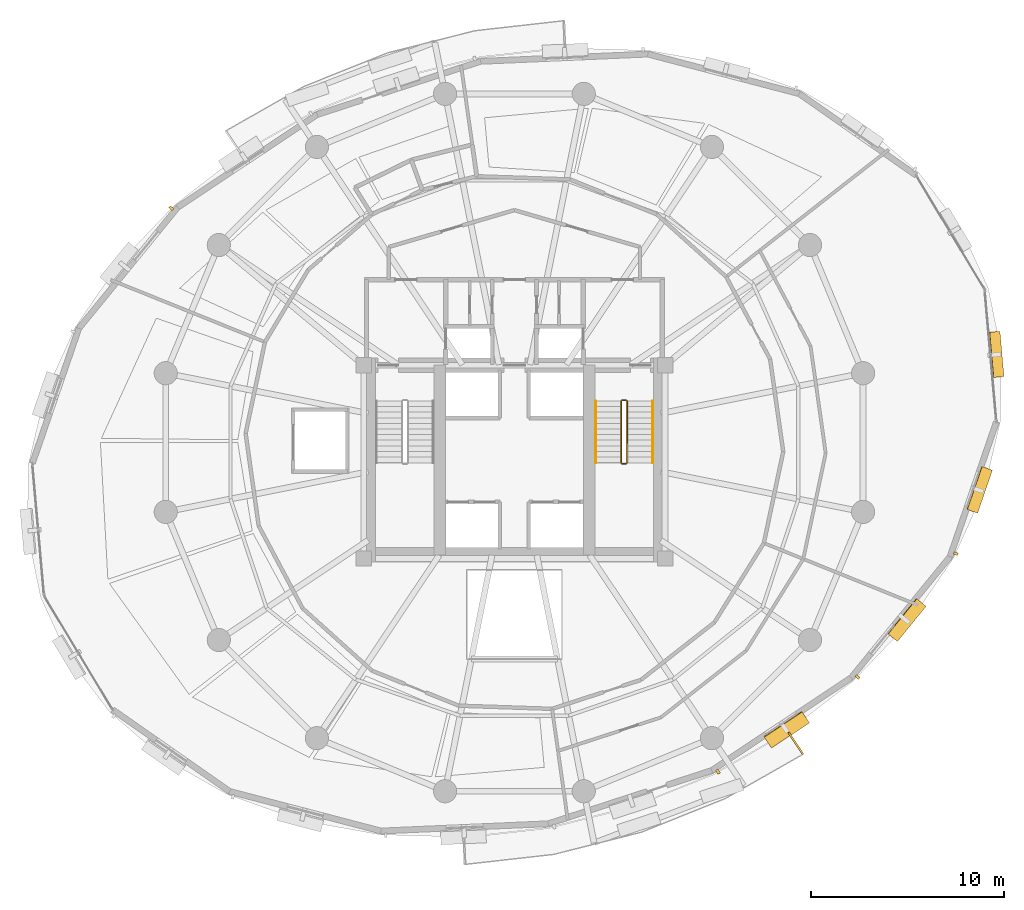
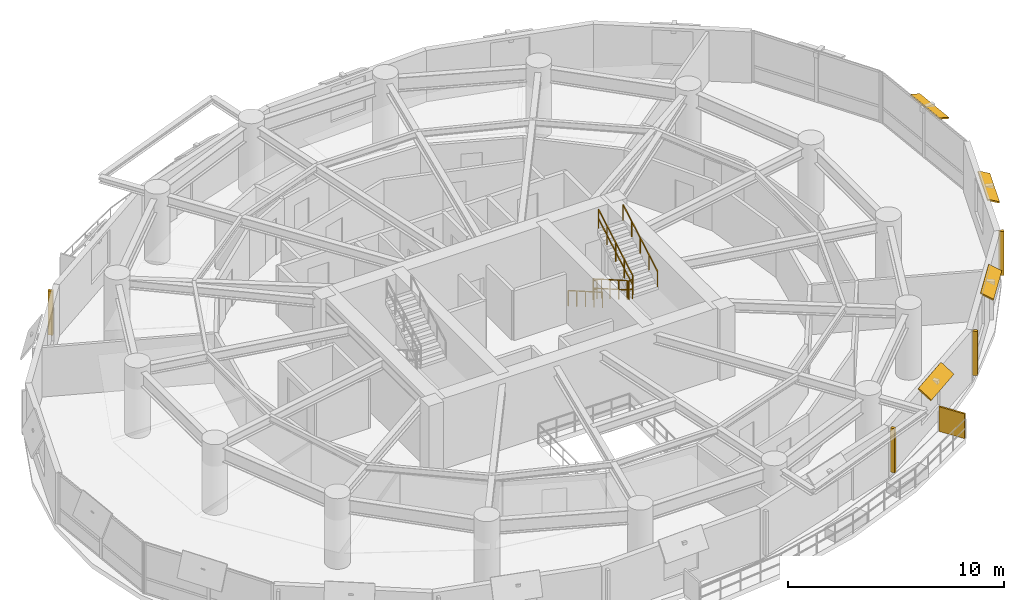
# One storey, part 14 of 15: 9 shading devices, 6 railings.
"""IFC4 building model written with IfcOpenShell, lengths in metres."""

from ifc_helpers import new_model, si_unit, direction, frame, origin, origin_2d, place, context, subcontext, project, spatial, rectangle, extrude, material, layer, layer_set, type_object, element, save


model = new_model("IFC4")

# Units and contexts
model_context = context("Model", 3, precision=1e-05, world=origin(), true_north=direction((0.0, 1.0)))
body_context = subcontext(model_context, "Body", "Model", "MODEL_VIEW")
ifc_project = project(units=[si_unit("LENGTHUNIT", "METRE"), si_unit("AREAUNIT", "SQUARE_METRE"), si_unit("VOLUMEUNIT", "CUBIC_METRE"), si_unit("PLANEANGLEUNIT", "RADIAN"), si_unit("MASSUNIT", "GRAM", prefix="KILO"), si_unit("THERMODYNAMICTEMPERATUREUNIT", "KELVIN"), si_unit("POWERUNIT", "WATT")], contexts=[model_context])

# Site, building, storey
site_placement = place(None, origin())
site = spatial("IfcSite", under=ifc_project, at=site_placement, CompositionType="ELEMENT")
building_placement = place(site_placement, origin())
building = spatial("IfcBuilding", under=site, at=building_placement, Name="Ocrelia Relay Tower", CompositionType="ELEMENT")
storey_placement = place(building_placement, frame((0.0, 0.0, 109.800048828125)))
storey = spatial("IfcBuildingStorey", under=building, at=storey_placement, Name="L25", CompositionType="ELEMENT", Elevation=109.800048828125)

# Railings
ifc_material_1 = material(Name="Steel S355 balustrade", Category="steel")
railing_type_1 = type_object("IfcRailingType", Name="RL-STAIR-GUARD", PredefinedType="GUARDRAIL", material=ifc_material_1)
railing_1_placement = place(storey_placement, frame((39.530029296875, 28.14990234375, 0.16650390625)))
element("IfcRailing", 1, at=railing_1_placement, inside=storey, type_object=railing_type_1, Name="L25 ST2 stair guard 1", PredefinedType="GUARDRAIL", context=body_context, shape_type="SweptSolid", body=[
    extrude(rectangle(XDim=0.048095703125, YDim=0.048095703125, at=origin_2d()), frame((0.0, 0.0, 1.076171875), z_axis=(0.0, -0.86699087805, 0.498324008431), x_axis=(1.0, 0.0, 0.0)), (0.0, 0.0, 1.0), 3.679443359375),
    extrude(rectangle(XDim=0.048095703125, YDim=0.048095703125, at=origin_2d()), frame((0.0, 0.0, 0.550048828125), z_axis=(0.0, -0.86699087805, 0.498324008431), x_axis=(1.0, 0.0, 0.0)), (0.0, 0.0, 1.0), 3.679443359375),
    extrude(rectangle(XDim=0.0419921875, YDim=0.0419921875, at=origin_2d()), origin(), (0.0, 0.0, 1.0), 1.052001953125),
    extrude(rectangle(XDim=0.0419921875, YDim=0.0419921875, at=origin_2d()), frame((0.0, -0.79736328125, 0.45849609375)), (0.0, 0.0, 1.0), 1.052001953125),
    extrude(rectangle(XDim=0.0419921875, YDim=0.0419921875, at=origin_2d()), frame((0.0, -1.594970703125, 0.916748046875)), (0.0, 0.0, 1.0), 1.052001953125),
    extrude(rectangle(XDim=0.0419921875, YDim=0.0419921875, at=origin_2d()), frame((0.0, -2.392578125, 1.375)), (0.0, 0.0, 1.0), 1.052001953125),
    extrude(rectangle(XDim=0.0419921875, YDim=0.0419921875, at=origin_2d()), frame((0.0, -3.18994140625, 1.83349609375)), (0.0, 0.0, 1.0), 1.052001953125),
])
railing_2_placement = place(storey_placement, frame((39.580078125, 24.909912109375, 2.0)))
element("IfcRailing", 2, at=railing_2_placement, inside=storey, type_object=railing_type_1, Name="L25 ST2 stair guard 2", PredefinedType="GUARDRAIL", context=body_context, shape_type="SweptSolid", body=[
    extrude(rectangle(XDim=0.048095703125, YDim=0.048095703125, at=origin_2d()), frame((0.0, 0.0, 1.076171875), z_axis=(1.0, 0.0, 0.0), x_axis=(0.0, 1.0, 0.0)), (0.0, 0.0, 1.0), 0.199951171875),
    extrude(rectangle(XDim=0.048095703125, YDim=0.048095703125, at=origin_2d()), frame((0.0, 0.0, 0.550048828125), z_axis=(1.0, 0.0, 0.0), x_axis=(0.0, 1.0, 0.0)), (0.0, 0.0, 1.0), 0.199951171875),
    extrude(rectangle(XDim=0.0419921875, YDim=0.0419921875, at=origin_2d()), origin(), (0.0, 0.0, 1.0), 1.052001953125),
    extrude(rectangle(XDim=0.0419921875, YDim=0.0419921875, at=origin_2d()), frame((0.199951171875, 0.0, 0.0)), (0.0, 0.0, 1.0), 1.052001953125),
])
railing_3_placement = place(storey_placement, frame((39.830078125, 24.9599609375, 2.16650390625)))
element("IfcRailing", 3, at=railing_3_placement, inside=storey, type_object=railing_type_1, Name="L25 ST2 stair guard 3", PredefinedType="GUARDRAIL", context=body_context, shape_type="SweptSolid", body=[
    extrude(rectangle(XDim=0.048095703125, YDim=0.048095703125, at=origin_2d()), frame((0.0, 0.0, 1.076171875), z_axis=(0.0, 0.86699087805, 0.498324008431), x_axis=(-1.0, 0.0, 0.0)), (0.0, 0.0, 1.0), 3.679443359375),
    extrude(rectangle(XDim=0.048095703125, YDim=0.048095703125, at=origin_2d()), frame((0.0, 0.0, 0.550048828125), z_axis=(0.0, 0.86699087805, 0.498324008431), x_axis=(-1.0, 0.0, 0.0)), (0.0, 0.0, 1.0), 3.679443359375),
    extrude(rectangle(XDim=0.0419921875, YDim=0.0419921875, at=origin_2d()), origin(), (0.0, 0.0, 1.0), 1.052001953125),
    extrude(rectangle(XDim=0.0419921875, YDim=0.0419921875, at=origin_2d()), frame((0.0, 0.79736328125, 0.45849609375)), (0.0, 0.0, 1.0), 1.052001953125),
    extrude(rectangle(XDim=0.0419921875, YDim=0.0419921875, at=origin_2d()), frame((0.0, 1.594970703125, 0.916748046875)), (0.0, 0.0, 1.0), 1.052001953125),
    extrude(rectangle(XDim=0.0419921875, YDim=0.0419921875, at=origin_2d()), frame((0.0, 2.392578125, 1.375)), (0.0, 0.0, 1.0), 1.052001953125),
    extrude(rectangle(XDim=0.0419921875, YDim=0.0419921875, at=origin_2d()), frame((0.0, 3.18994140625, 1.83349609375)), (0.0, 0.0, 1.0), 1.052001953125),
])
railing_4_placement = place(storey_placement, frame((39.580078125, 28.199951171875, 0.0)))
element("IfcRailing", 4, at=railing_4_placement, inside=storey, type_object=railing_type_1, Name="L25 ST2 stair guard 4", PredefinedType="GUARDRAIL", context=body_context, shape_type="SweptSolid", body=[
    extrude(rectangle(XDim=0.048095703125, YDim=0.048095703125, at=origin_2d()), frame((0.0, 0.0, 1.076171875), z_axis=(1.0, 0.0, 0.0), x_axis=(0.0, 1.0, 0.0)), (0.0, 0.0, 1.0), 0.199951171875),
    extrude(rectangle(XDim=0.048095703125, YDim=0.048095703125, at=origin_2d()), frame((0.0, 0.0, 0.550048828125), z_axis=(1.0, 0.0, 0.0), x_axis=(0.0, 1.0, 0.0)), (0.0, 0.0, 1.0), 0.199951171875),
    extrude(rectangle(XDim=0.0419921875, YDim=0.0419921875, at=origin_2d()), origin(), (0.0, 0.0, 1.0), 1.052001953125),
    extrude(rectangle(XDim=0.0419921875, YDim=0.0419921875, at=origin_2d()), frame((0.199951171875, 0.0, 0.0)), (0.0, 0.0, 1.0), 1.052001953125),
])
ifc_material_2 = material(Name="Steel S355 tubular handrail", Category="steel")
railing_type_2 = type_object("IfcRailingType", Name="RL-STAIR-HAND", PredefinedType="HANDRAIL", material=ifc_material_2)
railing_5_placement = place(storey_placement, frame((38.2099609375, 28.14990234375, 0.16650390625)))
element("IfcRailing", 5, at=railing_5_placement, inside=storey, type_object=railing_type_2, Name="L25 ST2 stair handrail 1", PredefinedType="HANDRAIL", context=body_context, shape_type="SweptSolid", body=[
    extrude(rectangle(XDim=0.048095703125, YDim=0.048095703125, at=origin_2d()), frame((0.0, 0.0, 0.8759765625), z_axis=(0.0, -0.86699087805, 0.498324008431), x_axis=(1.0, 0.0, 0.0)), (0.0, 0.0, 1.0), 3.679443359375),
    extrude(rectangle(XDim=0.0419921875, YDim=0.0419921875, at=origin_2d()), origin(), (0.0, 0.0, 1.0), 0.851806640625),
    extrude(rectangle(XDim=0.0419921875, YDim=0.0419921875, at=origin_2d()), frame((0.0, -0.79736328125, 0.45849609375)), (0.0, 0.0, 1.0), 0.851806640625),
    extrude(rectangle(XDim=0.0419921875, YDim=0.0419921875, at=origin_2d()), frame((0.0, -1.594970703125, 0.916748046875)), (0.0, 0.0, 1.0), 0.851806640625),
    extrude(rectangle(XDim=0.0419921875, YDim=0.0419921875, at=origin_2d()), frame((0.0, -2.392578125, 1.375)), (0.0, 0.0, 1.0), 0.851806640625),
    extrude(rectangle(XDim=0.0419921875, YDim=0.0419921875, at=origin_2d()), frame((0.0, -3.18994140625, 1.83349609375)), (0.0, 0.0, 1.0), 0.851806640625),
])
railing_6_placement = place(storey_placement, frame((41.14990234375, 24.9599609375, 2.16650390625)))
element("IfcRailing", 6, at=railing_6_placement, inside=storey, type_object=railing_type_2, Name="L25 ST2 stair handrail 2", PredefinedType="HANDRAIL", context=body_context, shape_type="SweptSolid", body=[
    extrude(rectangle(XDim=0.048095703125, YDim=0.048095703125, at=origin_2d()), frame((0.0, 0.0, 0.8759765625), z_axis=(0.0, 0.86699087805, 0.498324008431), x_axis=(-1.0, 0.0, 0.0)), (0.0, 0.0, 1.0), 3.679443359375),
    extrude(rectangle(XDim=0.0419921875, YDim=0.0419921875, at=origin_2d()), origin(), (0.0, 0.0, 1.0), 0.851806640625),
    extrude(rectangle(XDim=0.0419921875, YDim=0.0419921875, at=origin_2d()), frame((0.0, 0.79736328125, 0.45849609375)), (0.0, 0.0, 1.0), 0.851806640625),
    extrude(rectangle(XDim=0.0419921875, YDim=0.0419921875, at=origin_2d()), frame((0.0, 1.594970703125, 0.916748046875)), (0.0, 0.0, 1.0), 0.851806640625),
    extrude(rectangle(XDim=0.0419921875, YDim=0.0419921875, at=origin_2d()), frame((0.0, 2.392578125, 1.375)), (0.0, 0.0, 1.0), 0.851806640625),
    extrude(rectangle(XDim=0.0419921875, YDim=0.0419921875, at=origin_2d()), frame((0.0, 3.18994140625, 1.83349609375)), (0.0, 0.0, 1.0), 0.851806640625),
])

# Shading devices
ifc_material_3 = material(Name="Perforated oxide terracotta solar screen", Category="masonry")
ifc_layer_1 = layer(ifc_material_3, 0.090087890625, Name="Perforated oxide terracotta solar screen")
ifc_layer_set_1 = layer_set([ifc_layer_1], Name="Perforated oxide terracotta solar screen")
shading_device_type_1 = type_object("IfcShadingDeviceType", Name="SH-BALC-SCREEN", PredefinedType="USERDEFINED", material=ifc_layer_set_1)
shading_device_1_placement = place(storey_placement, frame((48.55810546875, 10.439208984375, 0.0), z_axis=(0.0, 0.0, 1.0), x_axis=(0.554898918519, -0.831917778526, 0.0)))
element("IfcShadingDevice", 7, at=shading_device_1_placement, inside=storey, type_object=shading_device_type_1, Name="L25 Balcony Perforated Terracotta Screen B2-2", ObjectType="SCREEN", PredefinedType="USERDEFINED", context=body_context, shape_type="SweptSolid", body=[
    extrude(rectangle(XDim=1.340087890625, YDim=0.090087890625, at=origin_2d()), origin(), (0.0, 0.0, 1.0), 1.39990234375),
])
ifc_material_4 = material(Name="Extruded oxide terracotta vertical baguette", Category="masonry")
shading_device_type_2 = type_object("IfcShadingDeviceType", Name="SH-TERR-BAGUETTE", PredefinedType="USERDEFINED", material=ifc_material_4)
for number, where, z_axis, x_axis, name in (
    (8, (16.24072265625, 38.13232421875, 0.199951171875), (0.0, 0.0, 1.0), (-0.632465896633, -0.774588206466, 0.0), "L25 Oxide Terracotta Vertical Baguette 07"),
    (9, (44.53466796875, 8.966552734375, 0.199951171875), (0.0, 0.0, 1.0), (0.832713130863, 0.553704652038, 0.0), "L25 Oxide Terracotta Vertical Baguette 15"),
    (10, (51.75927734375, 13.86767578125, 0.199951171875), (0.0, 0.0, 1.0), (0.632465896633, 0.774588206466, 0.0), "L25 Oxide Terracotta Vertical Baguette 16"),
    (11, (56.8447265625, 20.25, 0.199951171875), (0.0, 0.0, 1.0), (0.32505970653, 0.945693495373, 0.0), "L25 Oxide Terracotta Vertical Baguette 17"),
):
    element("IfcShadingDevice", number, at=place(storey_placement, frame(where, z_axis=z_axis, x_axis=x_axis)), inside=storey, type_object=shading_device_type_2, Name=name, ObjectType="BAGUETTE", PredefinedType="USERDEFINED", context=body_context, shape_type="SweptSolid", body=[
        extrude(rectangle(XDim=0.139892578125, YDim=0.239990234375, at=origin_2d()), origin(), (0.0, 0.0, 1.0), 2.5),
    ])
ifc_material_5 = material(Name="Extruded oxide terracotta fin", Category="masonry")
ifc_layer_2 = layer(ifc_material_5, 0.080078125, Name="Extruded oxide terracotta fin")
ifc_layer_set_2 = layer_set([ifc_layer_2], Name="Extruded oxide terracotta fin")
shading_device_type_3 = type_object("IfcShadingDeviceType", Name="SH-VISOR-FIN-MED", PredefinedType="USERDEFINED", material=ifc_layer_set_2)
shading_device_2_placement = place(storey_placement, frame((48.074462890625, 11.16162109375, 2.70703125), z_axis=(0.312745114565, -0.470335516513, 0.825212091054), x_axis=(0.832713130863, 0.553704652038, 0.0)))
element("IfcShadingDevice", 12, at=shading_device_2_placement, inside=storey, type_object=shading_device_type_3, Name="L25 Canted Terracotta Sun-Visor Fin 15", ObjectType="FIN", PredefinedType="USERDEFINED", context=body_context, shape_type="SweptSolid", body=[
    extrude(rectangle(XDim=2.35009765625, YDim=0.822998046875, at=origin_2d()), origin(), (0.0, 0.0, 1.0), 0.080078125),
])
ifc_layer_3 = layer(ifc_material_5, 0.080078125, Name="Extruded oxide terracotta fin")
ifc_layer_set_3 = layer_set([ifc_layer_3], Name="Extruded oxide terracotta fin")
shading_device_type_4 = type_object("IfcShadingDeviceType", Name="SH-VISOR-FIN-SHAL", PredefinedType="USERDEFINED", material=ifc_layer_set_3)
shading_device_3_placement = place(storey_placement, frame((54.297119140625, 16.828369140625, 2.7041015625), z_axis=(0.34392471289, -0.280821022185, 0.896021955849), x_axis=(0.632465896633, 0.774588206466, 0.0)))
element("IfcShadingDevice", 13, at=shading_device_3_placement, inside=storey, type_object=shading_device_type_4, Name="L25 Canted Terracotta Sun-Visor Fin 16", ObjectType="FIN", PredefinedType="USERDEFINED", context=body_context, shape_type="SweptSolid", body=[
    extrude(rectangle(XDim=2.35009765625, YDim=0.68896484375, at=origin_2d()), origin(), (0.0, 0.0, 1.0), 0.080078125),
])
shading_device_4_placement = place(storey_placement, frame((58.0634765625, 23.560302734375, 2.70263671875), z_axis=(0.344754230357, -0.118501088876, 0.931183125162), x_axis=(0.32505970653, 0.945693495373, 0.0)))
element("IfcShadingDevice", 14, at=shading_device_4_placement, inside=storey, type_object=shading_device_type_4, Name="L25 Canted Terracotta Sun-Visor Fin 17", ObjectType="FIN", PredefinedType="USERDEFINED", context=body_context, shape_type="SweptSolid", body=[
    extrude(rectangle(XDim=2.35009765625, YDim=0.60595703125, at=origin_2d()), origin(), (0.0, 0.0, 1.0), 0.080078125),
])
shading_device_5_placement = place(storey_placement, frame((58.9443359375, 30.56201171875, 2.7021484375), z_axis=(0.320670363672, 0.028509856185, 0.946761694389), x_axis=(-0.088557738612, 0.996071045123, 0.0)))
element("IfcShadingDevice", 15, at=shading_device_5_placement, inside=storey, type_object=shading_device_type_4, Name="L25 Canted Terracotta Sun-Visor Fin 18", ObjectType="FIN", PredefinedType="USERDEFINED", context=body_context, shape_type="SweptSolid", body=[
    extrude(rectangle(XDim=2.35009765625, YDim=0.56298828125, at=origin_2d()), origin(), (0.0, 0.0, 1.0), 0.080078125),
])

save(model, "model.ifc")
